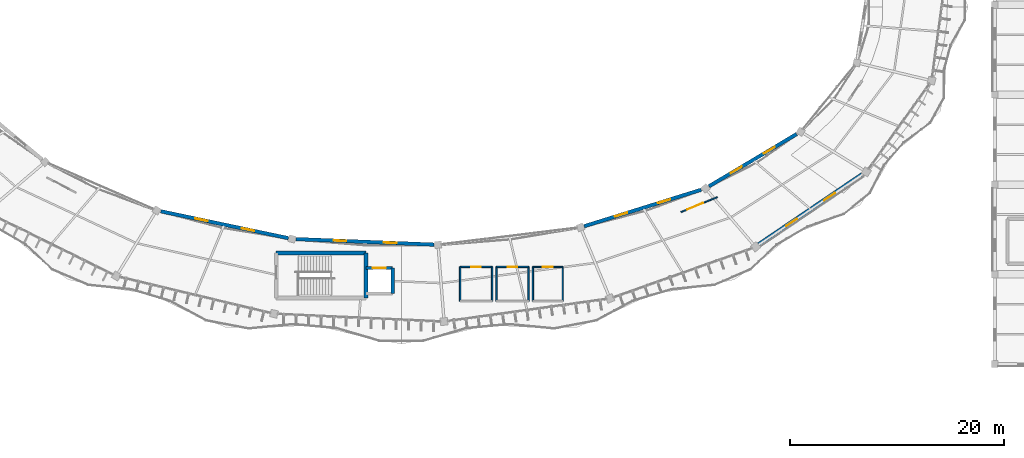
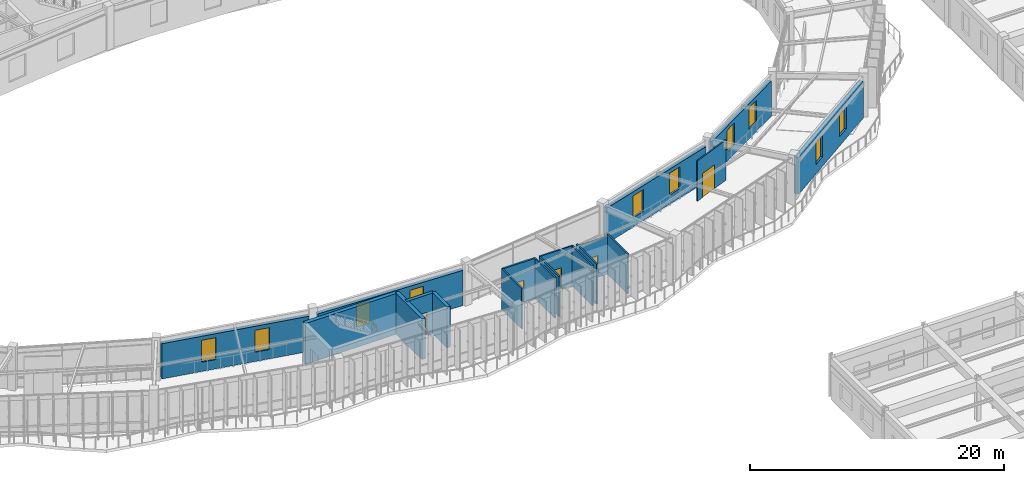
# One storey, part 115 of 138: 19 walls, 10 windows, 5 doors, 15 openings.
"""IFC4 building model written with IfcOpenShell, lengths in metres."""

from ifc_helpers import new_model, si_unit, direction, frame, frame_2d, origin, place, context, subcontext, project, spatial, rectangle, extrude, material, layer, layer_set, type_object, element, fill, save


model = new_model("IFC4")

# Units and contexts
model_context = context("Model", 3, precision=1e-05, world=origin(), true_north=direction((0.0, 1.0)))
body_context = subcontext(model_context, "Body", "Model", "MODEL_VIEW")
ifc_project = project(units=[si_unit("LENGTHUNIT", "METRE"), si_unit("AREAUNIT", "SQUARE_METRE"), si_unit("VOLUMEUNIT", "CUBIC_METRE"), si_unit("PLANEANGLEUNIT", "RADIAN"), si_unit("MASSUNIT", "GRAM", prefix="KILO"), si_unit("THERMODYNAMICTEMPERATUREUNIT", "KELVIN"), si_unit("POWERUNIT", "WATT")], contexts=[model_context])

# Site, building, storey
site_placement = place(None, origin())
site = spatial("IfcSite", under=ifc_project, at=site_placement, CompositionType="ELEMENT")
building_placement = place(site_placement, origin())
building = spatial("IfcBuilding", under=site, at=building_placement, Name="Darbajah Civic Hall", CompositionType="ELEMENT")
storey_placement = place(building_placement, frame((0.0, 0.0, 9.60009765625)))
storey = spatial("IfcBuildingStorey", under=building, at=storey_placement, Name="L02", CompositionType="ELEMENT", Elevation=9.60009765625)

# Wall, opening, door
ifc_material_1 = material(Name="Concrete C45/55", Category="concrete")
ifc_layer_1 = layer(ifc_material_1, 0.300048828125, Name="Concrete C45/55")
ifc_layer_set_1 = layer_set([ifc_layer_1], Name="Concrete C45/55")
wall_type_1 = type_object("IfcWallType", Name="Core Shear Wall 300mm", PredefinedType="SHEAR", material=ifc_layer_set_1)
wall_1_placement = place(storey_placement, frame((88.300048828125, 65.39990234375, 0.0), z_axis=(0.0, 0.0, 1.0), x_axis=(-1.0, 0.0, 0.0)))
wall_1 = element("IfcWall", 1, at=wall_1_placement, inside=storey, type_object=wall_type_1, Name="L02 lift PL1 shaft wall N", PredefinedType="SHEAR", context=body_context, shape_type="SweptSolid", body=[
    extrude(rectangle(XDim=2.5, YDim=0.300048828125, at=frame_2d((1.25, 0.0))), origin(), (0.0, 0.0, 1.0), 3.919921875),
])
opening_1_placement = place(wall_1_placement, frame((0.64990234375, 0.0, 0.0)))
opening_1 = element("IfcOpeningElement", 2, at=opening_1_placement, cuts=wall_1, Name="Opening LD-0052", PredefinedType="OPENING", context=body_context, shape_type="SweptSolid", body=[
    extrude(rectangle(XDim=1.199951171875, YDim=2.25, at=frame_2d((0.60009765625, 1.125))), frame((0.0, 0.159912109375, 0.0), z_axis=(0.0, -1.0, 0.0), x_axis=(1.0, 0.0, 0.0)), (0.0, 0.0, 1.0), 0.320068359375),
])
ifc_material_2 = material(Name="Stainless Lift Landing Door")
door_type_1 = type_object("IfcDoorType", Name="Lift Landing Door 1200x2250", OperationType="SLIDING_TO_LEFT", PredefinedType="DOOR", material=ifc_material_2)
door_1_placement = place(opening_1_placement, origin())
door_1 = element("IfcDoor", 3, at=door_1_placement, inside=storey, type_object=door_type_1, Name="L02 lift PL1 landing door LD-0052", OperationType="SLIDING_TO_LEFT", OverallHeight=2.25, OverallWidth=1.199951171875, PredefinedType="DOOR", context=body_context, shape_type="SweptSolid", body=[
    extrude(rectangle(XDim=1.199951171875, YDim=2.25, at=frame_2d((0.60009765625, 1.125))), frame((0.0, 0.02490234375, 0.0), z_axis=(0.0, -1.0, 0.0), x_axis=(1.0, 0.0, 0.0)), (0.0, 0.0, 1.0), 0.050048828125),
])
fill(opening_1, door_1)

# Walls
wall_2_placement = place(storey_placement, frame((88.300048828125, 63.0, 0.0), z_axis=(0.0, 0.0, 1.0), x_axis=(0.0, 1.0, 0.0)))
element("IfcWall", 4, at=wall_2_placement, inside=storey, type_object=wall_type_1, Name="L02 lift PL1 shaft wall E", PredefinedType="SHEAR", context=body_context, shape_type="SweptSolid", body=[
    extrude(rectangle(XDim=2.39990234375, YDim=0.300048828125, at=frame_2d((1.199951171875, 0.0))), origin(), (0.0, 0.0, 1.0), 3.919921875),
])
ifc_material_3 = material(Name="Concrete C50/60", Category="concrete")
ifc_layer_2 = layer(ifc_material_3, 0.35009765625, Name="Concrete C50/60")
ifc_layer_set_2 = layer_set([ifc_layer_2], Name="Concrete C50/60")
wall_type_2 = type_object("IfcWallType", Name="Core Shear Wall 350mm", PredefinedType="SHEAR", material=ifc_layer_set_2)
wall_3_placement = place(storey_placement, frame((85.800048828125, 62.60009765625, 0.0), z_axis=(0.0, 0.0, 1.0), x_axis=(0.0, 1.0, 0.0)))
element("IfcWall", 5, at=wall_3_placement, inside=storey, type_object=wall_type_2, Name="L02 core C03 shear wall E", PredefinedType="SHEAR", context=body_context, shape_type="SweptSolid", body=[
    extrude(rectangle(XDim=4.199951171875, YDim=0.35009765625, at=frame_2d((2.10009765625, 0.0))), origin(), (0.0, 0.0, 1.0), 3.919921875),
])
wall_4_placement = place(storey_placement, frame((85.800048828125, 66.800048828125, 0.0), z_axis=(0.0, 0.0, 1.0), x_axis=(-1.0, 0.0, 0.0)))
element("IfcWall", 6, at=wall_4_placement, inside=storey, type_object=wall_type_2, Name="L02 core C03 shear wall N", PredefinedType="SHEAR", context=body_context, shape_type="SweptSolid", body=[
    extrude(rectangle(XDim=8.400146484375, YDim=0.35009765625, at=frame_2d((4.2001953125, 0.0))), origin(), (0.0, 0.0, 1.0), 3.919921875),
])

# Wall, openings, windows
ifc_material_4 = material(Name="Qatari Desert Limestone Ashlar", Category="masonry")
ifc_layer_3 = layer(ifc_material_4, 0.340087890625, Name="Qatari Desert Limestone Ashlar")
ifc_layer_set_3 = layer_set([ifc_layer_3], Name="Qatari Desert Limestone Ashlar")
wall_type_3 = type_object("IfcWallType", Name="Exterior Wall 340mm", PredefinedType="SOLIDWALL", material=ifc_layer_set_3)
wall_5_placement = place(storey_placement, frame((66.622802734375, 70.699951171875, 0.0), z_axis=(0.0, 0.0, 1.0), x_axis=(0.978480644372, -0.206338626024, 0.0)))
wall_5 = element("IfcWall", 7, at=wall_5_placement, inside=storey, type_object=wall_type_3, Name="L02 exterior wall EW-340", PredefinedType="SOLIDWALL", context=body_context, shape_type="SweptSolid", body=[
    extrude(rectangle(XDim=12.185791015625, YDim=0.340087890625, at=frame_2d((6.0927734375, 0.0))), origin(), (0.0, 0.0, 1.0), 3.38671875),
])
opening_2_placement = place(wall_5_placement, frame((3.261962890625, 0.0, 0.89990234375)))
opening_2 = element("IfcOpeningElement", 8, at=opening_2_placement, cuts=wall_5, Name="Opening WN-01", PredefinedType="OPENING", context=body_context, shape_type="SweptSolid", body=[
    extrude(rectangle(XDim=1.199951171875, YDim=2.10009765625, at=frame_2d((0.60009765625, 1.050048828125))), frame((0.0, 0.179931640625, 0.0), z_axis=(0.0, -1.0, 0.0), x_axis=(1.0, 0.0, 0.0)), (0.0, 0.0, 1.0), 0.360107421875),
])
opening_3_placement = place(wall_5_placement, frame((7.723876953125, 0.0, 0.89990234375)))
opening_3 = element("IfcOpeningElement", 9, at=opening_3_placement, cuts=wall_5, Name="Opening WN-01", PredefinedType="OPENING", context=body_context, shape_type="SweptSolid", body=[
    extrude(rectangle(XDim=1.199951171875, YDim=2.10009765625, at=frame_2d((0.60009765625, 1.050048828125))), frame((0.0, 0.179931640625, 0.0), z_axis=(0.0, -1.0, 0.0), x_axis=(1.0, 0.0, 0.0)), (0.0, 0.0, 1.0), 0.360107421875),
])
ifc_material_5 = material(Name="Low-E Solar Control Double Glazing", Category="glass")
window_type = type_object("IfcWindowType", Name="Facade Window 1200x2100", PartitioningType="SINGLE_PANEL", PredefinedType="WINDOW", material=ifc_material_5)
window_1_placement = place(opening_2_placement, origin())
window_1 = element("IfcWindow", 10, at=window_1_placement, inside=storey, type_object=window_type, Name="L02 facade window WN-01", OverallHeight=2.10009765625, OverallWidth=1.199951171875, PartitioningType="SINGLE_PANEL", PredefinedType="WINDOW", context=body_context, shape_type="SweptSolid", body=[
    extrude(rectangle(XDim=1.199951171875, YDim=2.10009765625, at=frame_2d((0.60009765625, 1.050048828125))), frame((0.0, 0.030029296875, 0.0), z_axis=(0.0, -1.0, 0.0), x_axis=(1.0, 0.0, 0.0)), (0.0, 0.0, 1.0), 0.06005859375),
])
fill(opening_2, window_1)
window_2_placement = place(opening_3_placement, origin())
window_2 = element("IfcWindow", 11, at=window_2_placement, inside=storey, type_object=window_type, Name="L02 facade window WN-01", OverallHeight=2.10009765625, OverallWidth=1.199951171875, PartitioningType="SINGLE_PANEL", PredefinedType="WINDOW", context=body_context, shape_type="SweptSolid", body=[
    extrude(rectangle(XDim=1.199951171875, YDim=2.10009765625, at=frame_2d((0.60009765625, 1.050048828125))), frame((0.0, 0.030029296875, 0.0), z_axis=(0.0, -1.0, 0.0), x_axis=(1.0, 0.0, 0.0)), (0.0, 0.0, 1.0), 0.06005859375),
])
fill(opening_3, window_2)

wall_6_placement = place(storey_placement, frame((79.2587890625, 68.100830078125, 0.0), z_axis=(0.0, 0.0, 1.0), x_axis=(0.999197908265, -0.040044227027, 0.0)))
wall_6 = element("IfcWall", 12, at=wall_6_placement, inside=storey, type_object=wall_type_3, Name="L02 exterior wall EW-340", PredefinedType="SOLIDWALL", context=body_context, shape_type="SweptSolid", body=[
    extrude(rectangle(XDim=12.925048828125, YDim=0.340087890625, at=frame_2d((6.46240234375, 0.0))), origin(), (0.0, 0.0, 1.0), 3.38671875),
])
opening_4_placement = place(wall_6_placement, frame((3.50830078125, 0.0, 0.89990234375)))
opening_4 = element("IfcOpeningElement", 13, at=opening_4_placement, cuts=wall_6, Name="Opening WN-01", PredefinedType="OPENING", context=body_context, shape_type="SweptSolid", body=[
    extrude(rectangle(XDim=1.199951171875, YDim=2.10009765625, at=frame_2d((0.60009765625, 1.050048828125))), frame((0.0, 0.179931640625, 0.0), z_axis=(0.0, -1.0, 0.0), x_axis=(1.0, 0.0, 0.0)), (0.0, 0.0, 1.0), 0.360107421875),
])
opening_5_placement = place(wall_6_placement, frame((8.216796875, 0.0, 0.89990234375)))
opening_5 = element("IfcOpeningElement", 14, at=opening_5_placement, cuts=wall_6, Name="Opening WN-01", PredefinedType="OPENING", context=body_context, shape_type="SweptSolid", body=[
    extrude(rectangle(XDim=1.199951171875, YDim=2.10009765625, at=frame_2d((0.60009765625, 1.050048828125))), frame((0.0, 0.179931640625, 0.0), z_axis=(0.0, -1.0, 0.0), x_axis=(1.0, 0.0, 0.0)), (0.0, 0.0, 1.0), 0.360107421875),
])
window_3_placement = place(opening_4_placement, origin())
window_3 = element("IfcWindow", 15, at=window_3_placement, inside=storey, type_object=window_type, Name="L02 facade window WN-01", OverallHeight=2.10009765625, OverallWidth=1.199951171875, PartitioningType="SINGLE_PANEL", PredefinedType="WINDOW", context=body_context, shape_type="SweptSolid", body=[
    extrude(rectangle(XDim=1.199951171875, YDim=2.10009765625, at=frame_2d((0.60009765625, 1.050048828125))), frame((0.0, 0.030029296875, 0.0), z_axis=(0.0, -1.0, 0.0), x_axis=(1.0, 0.0, 0.0)), (0.0, 0.0, 1.0), 0.06005859375),
])
fill(opening_4, window_3)
window_4_placement = place(opening_5_placement, origin())
window_4 = element("IfcWindow", 16, at=window_4_placement, inside=storey, type_object=window_type, Name="L02 facade window WN-01", OverallHeight=2.10009765625, OverallWidth=1.199951171875, PartitioningType="SINGLE_PANEL", PredefinedType="WINDOW", context=body_context, shape_type="SweptSolid", body=[
    extrude(rectangle(XDim=1.199951171875, YDim=2.10009765625, at=frame_2d((0.60009765625, 1.050048828125))), frame((0.0, 0.030029296875, 0.0), z_axis=(0.0, -1.0, 0.0), x_axis=(1.0, 0.0, 0.0)), (0.0, 0.0, 1.0), 0.06005859375),
])
fill(opening_5, window_4)

wall_7_placement = place(storey_placement, frame((106.200439453125, 69.30322265625, 0.0), z_axis=(0.0, 0.0, 1.0), x_axis=(0.954622068679, 0.297819922085, 0.0)))
wall_7 = element("IfcWall", 17, at=wall_7_placement, inside=storey, type_object=wall_type_3, Name="L02 exterior wall EW-340", PredefinedType="SOLIDWALL", context=body_context, shape_type="SweptSolid", body=[
    extrude(rectangle(XDim=11.4560546875, YDim=0.340087890625, at=frame_2d((5.72802734375, 0.0))), origin(), (0.0, 0.0, 1.0), 3.38671875),
])
opening_6_placement = place(wall_7_placement, frame((3.018798828125, 0.0, 0.89990234375)))
opening_6 = element("IfcOpeningElement", 18, at=opening_6_placement, cuts=wall_7, Name="Opening WN-01", PredefinedType="OPENING", context=body_context, shape_type="SweptSolid", body=[
    extrude(rectangle(XDim=1.199951171875, YDim=2.10009765625, at=frame_2d((0.60009765625, 1.050048828125))), frame((0.0, 0.179931640625, 0.0), z_axis=(0.0, -1.0, 0.0), x_axis=(1.0, 0.0, 0.0)), (0.0, 0.0, 1.0), 0.360107421875),
])
opening_7_placement = place(wall_7_placement, frame((7.2373046875, 0.0, 0.89990234375)))
opening_7 = element("IfcOpeningElement", 19, at=opening_7_placement, cuts=wall_7, Name="Opening WN-01", PredefinedType="OPENING", context=body_context, shape_type="SweptSolid", body=[
    extrude(rectangle(XDim=1.199951171875, YDim=2.10009765625, at=frame_2d((0.60009765625, 1.050048828125))), frame((0.0, 0.179931640625, 0.0), z_axis=(0.0, -1.0, 0.0), x_axis=(1.0, 0.0, 0.0)), (0.0, 0.0, 1.0), 0.360107421875),
])
window_5_placement = place(opening_6_placement, origin())
window_5 = element("IfcWindow", 20, at=window_5_placement, inside=storey, type_object=window_type, Name="L02 facade window WN-01", OverallHeight=2.10009765625, OverallWidth=1.199951171875, PartitioningType="SINGLE_PANEL", PredefinedType="WINDOW", context=body_context, shape_type="SweptSolid", body=[
    extrude(rectangle(XDim=1.199951171875, YDim=2.10009765625, at=frame_2d((0.60009765625, 1.050048828125))), frame((0.0, 0.030029296875, 0.0), z_axis=(0.0, -1.0, 0.0), x_axis=(1.0, 0.0, 0.0)), (0.0, 0.0, 1.0), 0.06005859375),
])
fill(opening_6, window_5)
window_6_placement = place(opening_7_placement, origin())
window_6 = element("IfcWindow", 21, at=window_6_placement, inside=storey, type_object=window_type, Name="L02 facade window WN-01", OverallHeight=2.10009765625, OverallWidth=1.199951171875, PartitioningType="SINGLE_PANEL", PredefinedType="WINDOW", context=body_context, shape_type="SweptSolid", body=[
    extrude(rectangle(XDim=1.199951171875, YDim=2.10009765625, at=frame_2d((0.60009765625, 1.050048828125))), frame((0.0, 0.030029296875, 0.0), z_axis=(0.0, -1.0, 0.0), x_axis=(1.0, 0.0, 0.0)), (0.0, 0.0, 1.0), 0.06005859375),
])
fill(opening_7, window_6)

wall_8_placement = place(storey_placement, frame((117.86962890625, 73.035888671875, 0.0), z_axis=(0.0, 0.0, 1.0), x_axis=(0.858952167411, 0.512055831037, 0.0)))
wall_8 = element("IfcWall", 22, at=wall_8_placement, inside=storey, type_object=wall_type_3, Name="L02 exterior wall EW-340", PredefinedType="SOLIDWALL", context=body_context, shape_type="SweptSolid", body=[
    extrude(rectangle(XDim=9.543212890625, YDim=0.340087890625, at=frame_2d((4.771484375, 0.0))), origin(), (0.0, 0.0, 1.0), 3.38671875),
])
opening_8_placement = place(wall_8_placement, frame((2.381103515625, 0.0, 0.89990234375)))
opening_8 = element("IfcOpeningElement", 23, at=opening_8_placement, cuts=wall_8, Name="Opening WN-01", PredefinedType="OPENING", context=body_context, shape_type="SweptSolid", body=[
    extrude(rectangle(XDim=1.199951171875, YDim=2.10009765625, at=frame_2d((0.60009765625, 1.050048828125))), frame((0.0, 0.179931640625, 0.0), z_axis=(0.0, -1.0, 0.0), x_axis=(1.0, 0.0, 0.0)), (0.0, 0.0, 1.0), 0.360107421875),
])
opening_9_placement = place(wall_8_placement, frame((5.962158203125, 0.0, 0.89990234375)))
opening_9 = element("IfcOpeningElement", 24, at=opening_9_placement, cuts=wall_8, Name="Opening WN-01", PredefinedType="OPENING", context=body_context, shape_type="SweptSolid", body=[
    extrude(rectangle(XDim=1.199951171875, YDim=2.10009765625, at=frame_2d((0.60009765625, 1.050048828125))), frame((0.0, 0.179931640625, 0.0), z_axis=(0.0, -1.0, 0.0), x_axis=(1.0, 0.0, 0.0)), (0.0, 0.0, 1.0), 0.360107421875),
])
window_7_placement = place(opening_8_placement, origin())
window_7 = element("IfcWindow", 25, at=window_7_placement, inside=storey, type_object=window_type, Name="L02 facade window WN-01", OverallHeight=2.10009765625, OverallWidth=1.199951171875, PartitioningType="SINGLE_PANEL", PredefinedType="WINDOW", context=body_context, shape_type="SweptSolid", body=[
    extrude(rectangle(XDim=1.199951171875, YDim=2.10009765625, at=frame_2d((0.60009765625, 1.050048828125))), frame((0.0, 0.030029296875, 0.0), z_axis=(0.0, -1.0, 0.0), x_axis=(1.0, 0.0, 0.0)), (0.0, 0.0, 1.0), 0.06005859375),
])
fill(opening_8, window_7)
window_8_placement = place(opening_9_placement, origin())
window_8 = element("IfcWindow", 26, at=window_8_placement, inside=storey, type_object=window_type, Name="L02 facade window WN-01", OverallHeight=2.10009765625, OverallWidth=1.199951171875, PartitioningType="SINGLE_PANEL", PredefinedType="WINDOW", context=body_context, shape_type="SweptSolid", body=[
    extrude(rectangle(XDim=1.199951171875, YDim=2.10009765625, at=frame_2d((0.60009765625, 1.050048828125))), frame((0.0, 0.030029296875, 0.0), z_axis=(0.0, -1.0, 0.0), x_axis=(1.0, 0.0, 0.0)), (0.0, 0.0, 1.0), 0.06005859375),
])
fill(opening_9, window_8)

ifc_layer_4 = layer(ifc_material_4, 0.419921875, Name="Qatari Desert Limestone Ashlar")
ifc_layer_set_4 = layer_set([ifc_layer_4], Name="Qatari Desert Limestone Ashlar")
wall_type_4 = type_object("IfcWallType", Name="Exterior Wall 420mm", PredefinedType="SOLIDWALL", material=ifc_layer_set_4)
wall_9_placement = place(storey_placement, frame((122.543701171875, 67.5859375, 0.0), z_axis=(0.0, 0.0, 1.0), x_axis=(0.827969800815, 0.560772689187, 0.0)))
wall_9 = element("IfcWall", 27, at=wall_9_placement, inside=storey, type_object=wall_type_4, Name="L02 exterior wall EW-420", PredefinedType="SOLIDWALL", context=body_context, shape_type="SweptSolid", body=[
    extrude(rectangle(XDim=11.66162109375, YDim=0.419921875, at=frame_2d((5.830810546875, 0.0))), origin(), (0.0, 0.0, 1.0), 3.52001953125),
])
opening_10_placement = place(wall_9_placement, frame((3.087158203125, 0.0, 0.89990234375)))
opening_10 = element("IfcOpeningElement", 28, at=opening_10_placement, cuts=wall_9, Name="Opening WN-01", PredefinedType="OPENING", context=body_context, shape_type="SweptSolid", body=[
    extrude(rectangle(XDim=1.199951171875, YDim=2.10009765625, at=frame_2d((0.60009765625, 1.050048828125))), frame((0.0, 0.219970703125, 0.0), z_axis=(0.0, -1.0, 0.0), x_axis=(1.0, 0.0, 0.0)), (0.0, 0.0, 1.0), 0.43994140625),
])
opening_11_placement = place(wall_9_placement, frame((7.37451171875, 0.0, 0.89990234375)))
opening_11 = element("IfcOpeningElement", 29, at=opening_11_placement, cuts=wall_9, Name="Opening WN-01", PredefinedType="OPENING", context=body_context, shape_type="SweptSolid", body=[
    extrude(rectangle(XDim=1.199951171875, YDim=2.10009765625, at=frame_2d((0.60009765625, 1.050048828125))), frame((0.0, 0.219970703125, 0.0), z_axis=(0.0, -1.0, 0.0), x_axis=(1.0, 0.0, 0.0)), (0.0, 0.0, 1.0), 0.43994140625),
])
window_9_placement = place(opening_10_placement, origin())
window_9 = element("IfcWindow", 30, at=window_9_placement, inside=storey, type_object=window_type, Name="L02 facade window WN-01", OverallHeight=2.10009765625, OverallWidth=1.199951171875, PartitioningType="SINGLE_PANEL", PredefinedType="WINDOW", context=body_context, shape_type="SweptSolid", body=[
    extrude(rectangle(XDim=1.199951171875, YDim=2.10009765625, at=frame_2d((0.60009765625, 1.050048828125))), frame((0.0, 0.030029296875, 0.0), z_axis=(0.0, -1.0, 0.0), x_axis=(1.0, 0.0, 0.0)), (0.0, 0.0, 1.0), 0.06005859375),
])
fill(opening_10, window_9)
window_10_placement = place(opening_11_placement, origin())
window_10 = element("IfcWindow", 31, at=window_10_placement, inside=storey, type_object=window_type, Name="L02 facade window WN-01", OverallHeight=2.10009765625, OverallWidth=1.199951171875, PartitioningType="SINGLE_PANEL", PredefinedType="WINDOW", context=body_context, shape_type="SweptSolid", body=[
    extrude(rectangle(XDim=1.199951171875, YDim=2.10009765625, at=frame_2d((0.60009765625, 1.050048828125))), frame((0.0, 0.030029296875, 0.0), z_axis=(0.0, -1.0, 0.0), x_axis=(1.0, 0.0, 0.0)), (0.0, 0.0, 1.0), 0.06005859375),
])
fill(opening_11, window_10)

# Wall, opening, door
ifc_material_6 = material(Name="Acoustic Gypsum Partition")
ifc_layer_5 = layer(ifc_material_6, 0.114990234375, Name="Acoustic Gypsum Partition")
ifc_layer_set_5 = layer_set([ifc_layer_5], Name="Acoustic Gypsum Partition")
wall_type_5 = type_object("IfcWallType", Name="Interior Partition 115mm", PredefinedType="PARTITIONING", material=ifc_layer_set_5)
wall_10_placement = place(storey_placement, frame((118.655517578125, 72.026611328125, 0.0), z_axis=(0.0, 0.0, 1.0), x_axis=(-0.924574785069, -0.381000612617, 0.0)))
wall_10 = element("IfcWall", 32, at=wall_10_placement, inside=storey, type_object=wall_type_5, Name="L02 interior partition L02-V1-01", PredefinedType="PARTITIONING", context=body_context, shape_type="SweptSolid", body=[
    extrude(rectangle(XDim=3.671630859375, YDim=0.114990234375, at=frame_2d((1.8359375, 0.0))), origin(), (0.0, 0.0, 1.0), 3.85986328125),
])
opening_12_placement = place(wall_10_placement, frame((1.4501953125, 0.0, 0.0)))
opening_12 = element("IfcOpeningElement", 33, at=opening_12_placement, cuts=wall_10, Name="Opening D-0196", PredefinedType="OPENING", context=body_context, shape_type="SweptSolid", body=[
    extrude(rectangle(XDim=1.60009765625, YDim=2.300048828125, at=frame_2d((0.800048828125, 1.14990234375))), frame((0.0, 0.0673828125, 0.0), z_axis=(0.0, -1.0, 0.0), x_axis=(1.0, 0.0, 0.0)), (0.0, 0.0, 1.0), 0.135009765625),
])
ifc_material_7 = material(Name="Painted Hardwood Fire Door", Category="wood")
door_type_2 = type_object("IfcDoorType", Name="Interior Door 1600x2300", OperationType="NOTDEFINED", PredefinedType="DOOR", material=ifc_material_7)
door_2_placement = place(opening_12_placement, origin())
door_2 = element("IfcDoor", 34, at=door_2_placement, inside=storey, type_object=door_type_2, Name="L02 L02-V1-01 door D-0196", OperationType="DOUBLE_DOOR_SINGLE_SWING", OverallHeight=2.300048828125, OverallWidth=1.60009765625, PredefinedType="DOOR", context=body_context, shape_type="SweptSolid", body=[
    extrude(rectangle(XDim=1.60009765625, YDim=2.300048828125, at=frame_2d((0.800048828125, 1.14990234375))), frame((0.0, 0.02490234375, 0.0), z_axis=(0.0, -1.0, 0.0), x_axis=(1.0, 0.0, 0.0)), (0.0, 0.0, 1.0), 0.050048828125),
])
fill(opening_12, door_2)

wall_11_placement = place(storey_placement, frame((101.39990234375, 65.5, 0.0), z_axis=(0.0, 0.0, 1.0), x_axis=(1.0, 0.0, 0.0)))
wall_11 = element("IfcWall", 35, at=wall_11_placement, inside=storey, type_object=wall_type_5, Name="L02 interior partition L02-WCA", PredefinedType="PARTITIONING", context=body_context, shape_type="SweptSolid", body=[
    extrude(rectangle(XDim=2.800048828125, YDim=0.114990234375, at=frame_2d((1.39990234375, 0.0))), origin(), (0.0, 0.0, 1.0), 3.663818359375),
])
opening_13_placement = place(wall_11_placement, frame((0.925048828125, 0.0, 0.0)))
opening_13 = element("IfcOpeningElement", 36, at=opening_13_placement, cuts=wall_11, Name="Opening D-0205", PredefinedType="OPENING", context=body_context, shape_type="SweptSolid", body=[
    extrude(rectangle(XDim=0.949951171875, YDim=2.10009765625, at=frame_2d((0.47509765625, 1.050048828125))), frame((0.0, 0.0673828125, 0.0), z_axis=(0.0, -1.0, 0.0), x_axis=(1.0, 0.0, 0.0)), (0.0, 0.0, 1.0), 0.135009765625),
])
ifc_material_8 = material(Name="Accessible WC Door")
door_type_3 = type_object("IfcDoorType", Name="Interior Door 950x2100", OperationType="NOTDEFINED", PredefinedType="DOOR", material=ifc_material_8)
door_3_placement = place(opening_13_placement, origin())
door_3 = element("IfcDoor", 37, at=door_3_placement, inside=storey, type_object=door_type_3, Name="L02 L02-WCA door D-0205", OperationType="SINGLE_SWING_RIGHT", OverallHeight=2.10009765625, OverallWidth=0.949951171875, PredefinedType="DOOR", context=body_context, shape_type="SweptSolid", body=[
    extrude(rectangle(XDim=0.949951171875, YDim=2.10009765625, at=frame_2d((0.47509765625, 1.050048828125))), frame((0.0, 0.02490234375, 0.0), z_axis=(0.0, -1.0, 0.0), x_axis=(1.0, 0.0, 0.0)), (0.0, 0.0, 1.0), 0.050048828125),
])
fill(opening_13, door_3)

# Walls
ifc_material_9 = material(Name="Gypsum Plasterboard on Steel Stud", Category="steel")
ifc_layer_6 = layer(ifc_material_9, 0.135009765625, Name="Gypsum Plasterboard on Steel Stud")
ifc_layer_set_6 = layer_set([ifc_layer_6], Name="Gypsum Plasterboard on Steel Stud")
wall_type_6 = type_object("IfcWallType", Name="Interior Partition 135mm", PredefinedType="PARTITIONING", material=ifc_layer_set_6)
for number, where, z_axis, x_axis, name in (
    (38, (97.60009765625, 62.300048828125, 0.0), (0.0, 0.0, 1.0), (0.0, 1.0, 0.0), "L02 restroom enclosure wall L02-WCM E"),
    (39, (94.60009765625, 62.300048828125, 0.0), (0.0, 0.0, 1.0), (0.0, 1.0, 0.0), "L02 restroom enclosure wall L02-WCM W"),
    (40, (101.0, 62.300048828125, 0.0), (0.0, 0.0, 1.0), (0.0, 1.0, 0.0), "L02 restroom enclosure wall L02-WCF E"),
    (41, (98.0, 62.300048828125, 0.0), (0.0, 0.0, 1.0), (0.0, 1.0, 0.0), "L02 restroom enclosure wall L02-WCF W"),
):
    element("IfcWall", number, at=place(storey_placement, frame(where, z_axis=z_axis, x_axis=x_axis)), inside=storey, type_object=wall_type_6, Name=name, PredefinedType="PARTITIONING", context=body_context, shape_type="SweptSolid", body=[
        extrude(rectangle(XDim=3.199951171875, YDim=0.135009765625, at=frame_2d((1.60009765625, 0.0))), origin(), (0.0, 0.0, 1.0), 3.85986328125),
    ])

# Wall, opening, door
wall_12_placement = place(storey_placement, frame((98.0, 65.5, 0.0), z_axis=(0.0, 0.0, 1.0), x_axis=(1.0, 0.0, 0.0)))
wall_12 = element("IfcWall", 42, at=wall_12_placement, inside=storey, type_object=wall_type_6, Name="L02 interior partition L02-WCF", PredefinedType="PARTITIONING", context=body_context, shape_type="SweptSolid", body=[
    extrude(rectangle(XDim=3.0, YDim=0.135009765625, at=frame_2d((1.5, 0.0))), origin(), (0.0, 0.0, 1.0), 3.85986328125),
])
opening_14_placement = place(wall_12_placement, frame((1.050048828125, 0.0, 0.0)))
opening_14 = element("IfcOpeningElement", 43, at=opening_14_placement, cuts=wall_12, Name="Opening D-0204", PredefinedType="OPENING", context=body_context, shape_type="SweptSolid", body=[
    extrude(rectangle(XDim=0.89990234375, YDim=2.10009765625, at=frame_2d((0.449951171875, 1.050048828125))), frame((0.0, 0.077392578125, 0.0), z_axis=(0.0, -1.0, 0.0), x_axis=(1.0, 0.0, 0.0)), (0.0, 0.0, 1.0), 0.155029296875),
])
ifc_material_10 = material(Name="Oak Washroom Door")
door_type_4 = type_object("IfcDoorType", Name="Interior Door 900x2100", OperationType="NOTDEFINED", PredefinedType="DOOR", material=ifc_material_10)
door_4_placement = place(opening_14_placement, origin())
door_4 = element("IfcDoor", 44, at=door_4_placement, inside=storey, type_object=door_type_4, Name="L02 L02-WCF door D-0204", OperationType="SINGLE_SWING_LEFT", OverallHeight=2.10009765625, OverallWidth=0.89990234375, PredefinedType="DOOR", context=body_context, shape_type="SweptSolid", body=[
    extrude(rectangle(XDim=0.89990234375, YDim=2.10009765625, at=frame_2d((0.449951171875, 1.050048828125))), frame((0.0, 0.02490234375, 0.0), z_axis=(0.0, -1.0, 0.0), x_axis=(1.0, 0.0, 0.0)), (0.0, 0.0, 1.0), 0.050048828125),
])
fill(opening_14, door_4)

# Walls
for number, where, z_axis, x_axis, name in (
    (45, (104.199951171875, 62.300048828125, 0.0), (0.0, 0.0, 1.0), (0.0, 1.0, 0.0), "L02 restroom enclosure wall L02-WCA E"),
    (46, (101.39990234375, 62.300048828125, 0.0), (0.0, 0.0, 1.0), (0.0, 1.0, 0.0), "L02 restroom enclosure wall L02-WCA W"),
):
    element("IfcWall", number, at=place(storey_placement, frame(where, z_axis=z_axis, x_axis=x_axis)), inside=storey, type_object=wall_type_6, Name=name, PredefinedType="PARTITIONING", context=body_context, shape_type="SweptSolid", body=[
        extrude(rectangle(XDim=3.199951171875, YDim=0.135009765625, at=frame_2d((1.60009765625, 0.0))), origin(), (0.0, 0.0, 1.0), 3.85986328125),
    ])

# Wall, opening, door
ifc_layer_7 = layer(ifc_material_9, 0.159912109375, Name="Gypsum Plasterboard on Steel Stud")
ifc_layer_set_7 = layer_set([ifc_layer_7], Name="Gypsum Plasterboard on Steel Stud")
wall_type_7 = type_object("IfcWallType", Name="Interior Partition 160mm", PredefinedType="PARTITIONING", material=ifc_layer_set_7)
wall_13_placement = place(storey_placement, frame((94.60009765625, 65.5, 0.0), z_axis=(0.0, 0.0, 1.0), x_axis=(1.0, 0.0, 0.0)))
wall_13 = element("IfcWall", 47, at=wall_13_placement, inside=storey, type_object=wall_type_7, Name="L02 interior partition L02-WCM", PredefinedType="PARTITIONING", context=body_context, shape_type="SweptSolid", body=[
    extrude(rectangle(XDim=3.0, YDim=0.159912109375, at=frame_2d((1.5, 0.0))), origin(), (0.0, 0.0, 1.0), 3.85986328125),
])
opening_15_placement = place(wall_13_placement, frame((1.050048828125, 0.0, 0.0)))
opening_15 = element("IfcOpeningElement", 48, at=opening_15_placement, cuts=wall_13, Name="Opening D-0203", PredefinedType="OPENING", context=body_context, shape_type="SweptSolid", body=[
    extrude(rectangle(XDim=0.89990234375, YDim=2.10009765625, at=frame_2d((0.449951171875, 1.050048828125))), frame((0.0, 0.08984375, 0.0), z_axis=(0.0, -1.0, 0.0), x_axis=(1.0, 0.0, 0.0)), (0.0, 0.0, 1.0), 0.179931640625),
])
door_5_placement = place(opening_15_placement, origin())
door_5 = element("IfcDoor", 49, at=door_5_placement, inside=storey, type_object=door_type_4, Name="L02 L02-WCM door D-0203", OperationType="SINGLE_SWING_RIGHT", OverallHeight=2.10009765625, OverallWidth=0.89990234375, PredefinedType="DOOR", context=body_context, shape_type="SweptSolid", body=[
    extrude(rectangle(XDim=0.89990234375, YDim=2.10009765625, at=frame_2d((0.449951171875, 1.050048828125))), frame((0.0, 0.02490234375, 0.0), z_axis=(0.0, -1.0, 0.0), x_axis=(1.0, 0.0, 0.0)), (0.0, 0.0, 1.0), 0.050048828125),
])
fill(opening_15, door_5)

save(model, "model.ifc")
